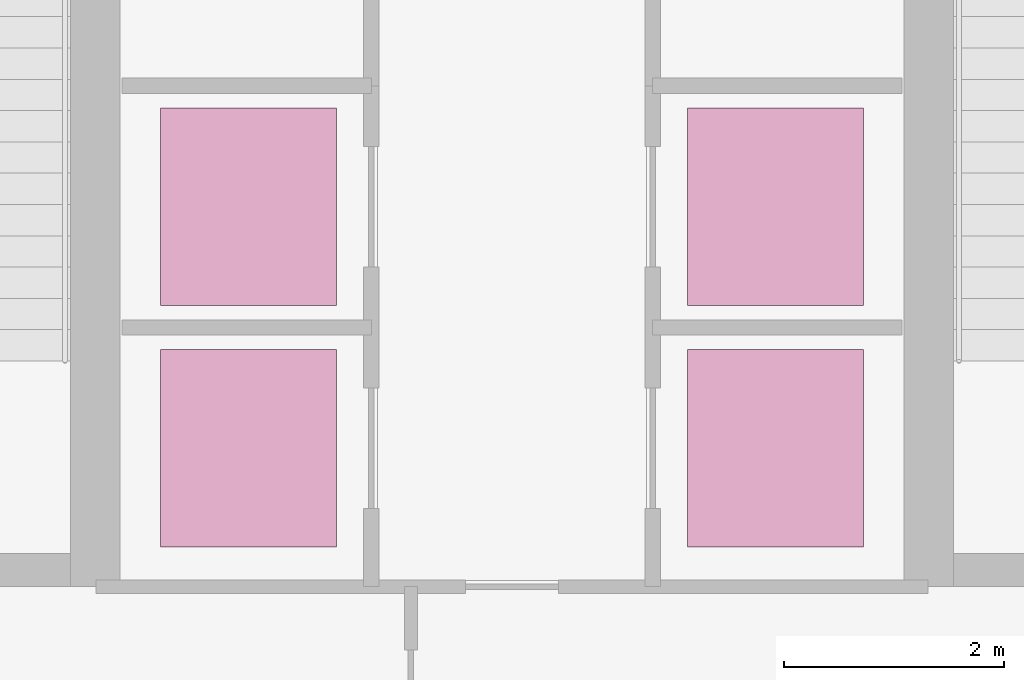
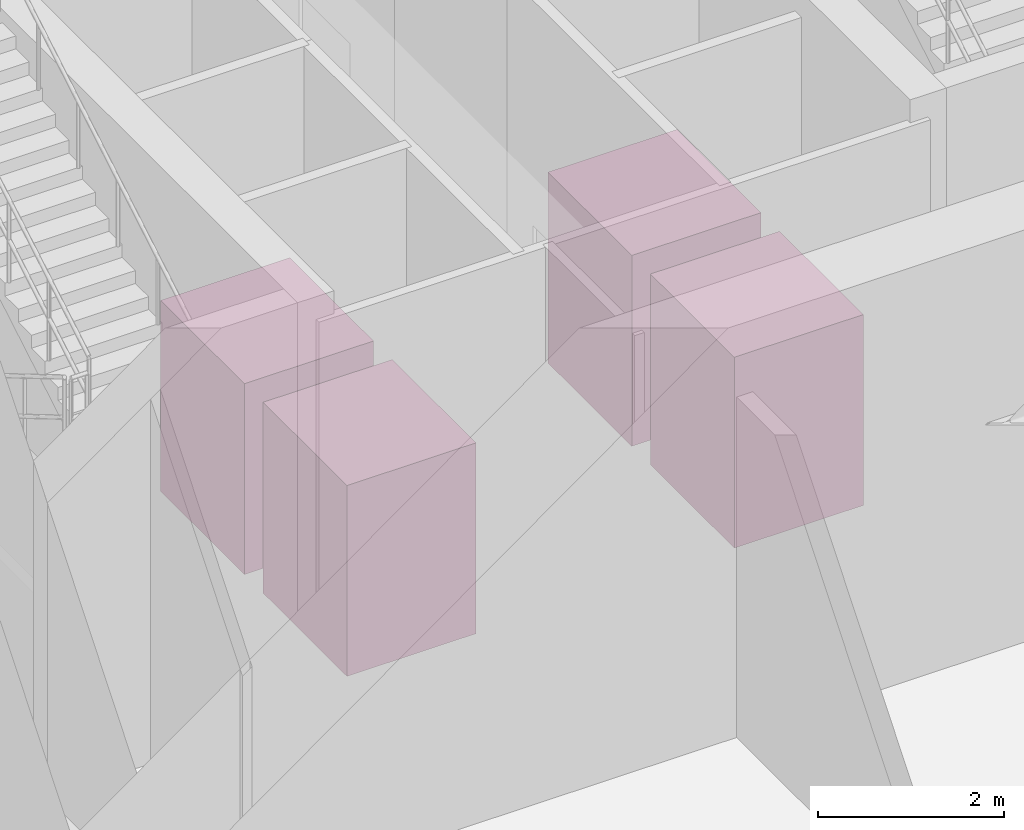
# One storey, part 28 of 28: 4 transport elements.
"""IFC4 building model written with IfcOpenShell, lengths in metres."""

from ifc_helpers import new_model, si_unit, direction, frame, origin, origin_2d, place, context, subcontext, project, spatial, rectangle, extrude, source, transform, mapped, material, type_object, type_shapes, element, save


model = new_model("IFC4")

# Units and contexts
model_context = context("Model", 3, precision=1e-05, world=origin(), true_north=direction((0.0, 1.0)))
body_context = subcontext(model_context, "Body", "Model", "MODEL_VIEW")
ifc_project = project(units=[si_unit("LENGTHUNIT", "METRE"), si_unit("AREAUNIT", "SQUARE_METRE"), si_unit("VOLUMEUNIT", "CUBIC_METRE"), si_unit("PLANEANGLEUNIT", "RADIAN"), si_unit("MASSUNIT", "GRAM", prefix="KILO")], contexts=[model_context])

# Site, building, storey
site_placement = place(None, origin())
site = spatial("IfcSite", under=ifc_project, at=site_placement, CompositionType="ELEMENT")
building_placement = place(site_placement, origin())
building = spatial("IfcBuilding", under=site, at=building_placement, Name="Krantzveldt Concourse Tower", CompositionType="ELEMENT")
storey_placement = place(building_placement, origin())
storey = spatial("IfcBuildingStorey", under=building, at=storey_placement, Name="L00", CompositionType="ELEMENT", Elevation=0.0)

# Transport elements
ifc_material = material(Name="Stainless steel 316L", Category="steel")
transport_element_type_1 = type_object("IfcTransportElementType", Name="LFT-PASS-PL1", PredefinedType="ELEVATOR", material=ifc_material)
shared_shape_1 = source(origin(), body_context, "Body", "SweptSolid", [
    extrude(rectangle(XDim=1.60009765625, YDim=1.800048828125, at=origin_2d()), origin(), (0.0, 0.0, 1.0), 2.5),
])
type_shapes(transport_element_type_1, [shared_shape_1])
transport_element_1_placement = place(storey_placement, frame((33.60009765625, 14.47998046875, 0.0), z_axis=(0.0, 0.0, 1.0), x_axis=(1.0, 0.0, 0.0)))
element("IfcTransportElement", 1, at=transport_element_1_placement, inside=storey, type_object=transport_element_type_1, Name="Elevator Car PL1", PredefinedType="ELEVATOR", context=body_context, shape_type="MappedRepresentation", body=[
    mapped(shared_shape_1, transform((0.0, 0.0, 0.0), x_axis=(1.0, 0.0, 0.0), y_axis=(0.0, 1.0, 0.0), z_axis=(0.0, 0.0, 1.0), scale=1.0)),
])
transport_element_type_2 = type_object("IfcTransportElementType", Name="LFT-PASS-PL2", PredefinedType="ELEVATOR", material=ifc_material)
shared_shape_2 = source(origin(), body_context, "Body", "SweptSolid", [
    extrude(rectangle(XDim=1.60009765625, YDim=1.800048828125, at=origin_2d()), origin(), (0.0, 0.0, 1.0), 2.5),
])
type_shapes(transport_element_type_2, [shared_shape_2])
transport_element_2_placement = place(storey_placement, frame((33.60009765625, 16.679931640625, 0.0), z_axis=(0.0, 0.0, 1.0), x_axis=(1.0, 0.0, 0.0)))
element("IfcTransportElement", 2, at=transport_element_2_placement, inside=storey, type_object=transport_element_type_2, Name="Elevator Car PL2", PredefinedType="ELEVATOR", context=body_context, shape_type="MappedRepresentation", body=[
    mapped(shared_shape_2, transform((0.0, 0.0, 0.0), x_axis=(1.0, 0.0, 0.0), y_axis=(0.0, 1.0, 0.0), z_axis=(0.0, 0.0, 1.0), scale=1.0)),
])
transport_element_type_3 = type_object("IfcTransportElementType", Name="LFT-PASS-PM1", PredefinedType="ELEVATOR", material=ifc_material)
shared_shape_3 = source(origin(), body_context, "Body", "SweptSolid", [
    extrude(rectangle(XDim=1.60009765625, YDim=1.800048828125, at=origin_2d()), origin(), (0.0, 0.0, 1.0), 2.5),
])
type_shapes(transport_element_type_3, [shared_shape_3])
transport_element_3_placement = place(storey_placement, frame((38.39990234375, 14.47998046875, 0.0), z_axis=(0.0, 0.0, 1.0), x_axis=(1.0, 0.0, 0.0)))
element("IfcTransportElement", 3, at=transport_element_3_placement, inside=storey, type_object=transport_element_type_3, Name="Elevator Car PM1", PredefinedType="ELEVATOR", context=body_context, shape_type="MappedRepresentation", body=[
    mapped(shared_shape_3, transform((0.0, 0.0, 0.0), x_axis=(1.0, 0.0, 0.0), y_axis=(0.0, 1.0, 0.0), z_axis=(0.0, 0.0, 1.0), scale=1.0)),
])
transport_element_type_4 = type_object("IfcTransportElementType", Name="LFT-PASS-PM2", PredefinedType="ELEVATOR", material=ifc_material)
shared_shape_4 = source(origin(), body_context, "Body", "SweptSolid", [
    extrude(rectangle(XDim=1.60009765625, YDim=1.800048828125, at=origin_2d()), origin(), (0.0, 0.0, 1.0), 2.5),
])
type_shapes(transport_element_type_4, [shared_shape_4])
transport_element_4_placement = place(storey_placement, frame((38.39990234375, 16.679931640625, 0.0), z_axis=(0.0, 0.0, 1.0), x_axis=(1.0, 0.0, 0.0)))
element("IfcTransportElement", 4, at=transport_element_4_placement, inside=storey, type_object=transport_element_type_4, Name="Elevator Car PM2", PredefinedType="ELEVATOR", context=body_context, shape_type="MappedRepresentation", body=[
    mapped(shared_shape_4, transform((0.0, 0.0, 0.0), x_axis=(1.0, 0.0, 0.0), y_axis=(0.0, 1.0, 0.0), z_axis=(0.0, 0.0, 1.0), scale=1.0)),
])

save(model, "model.ifc")
